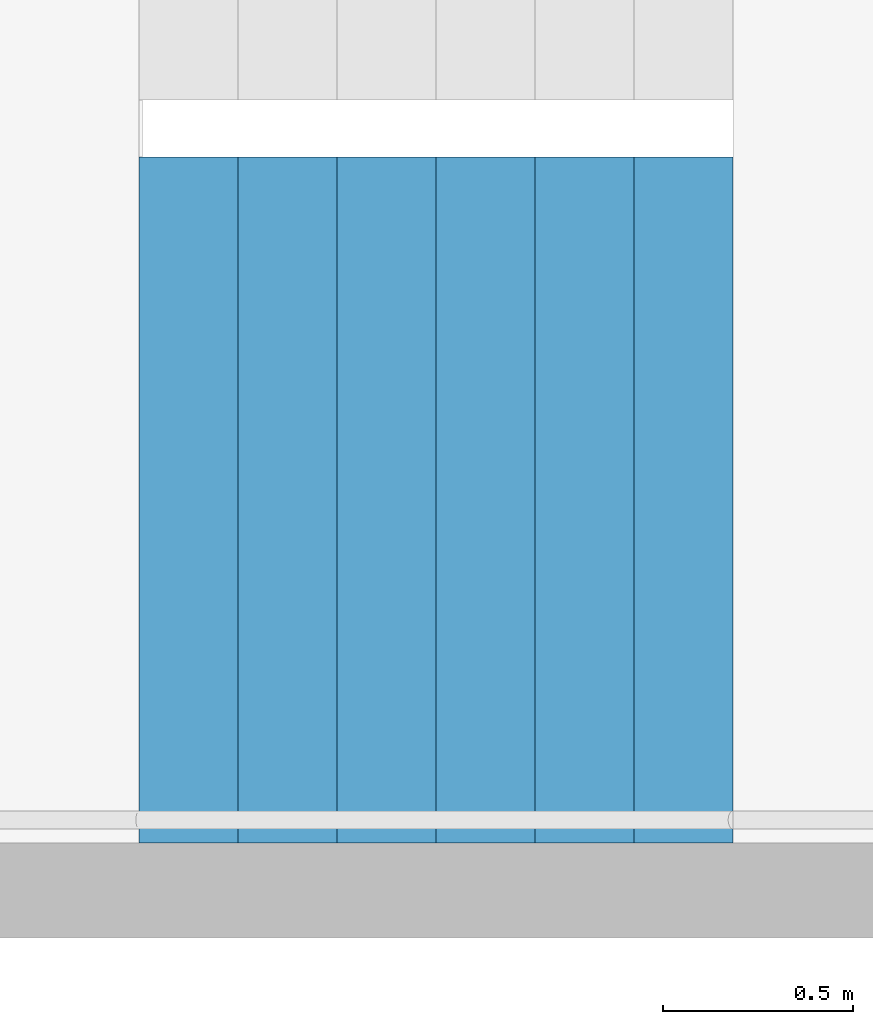
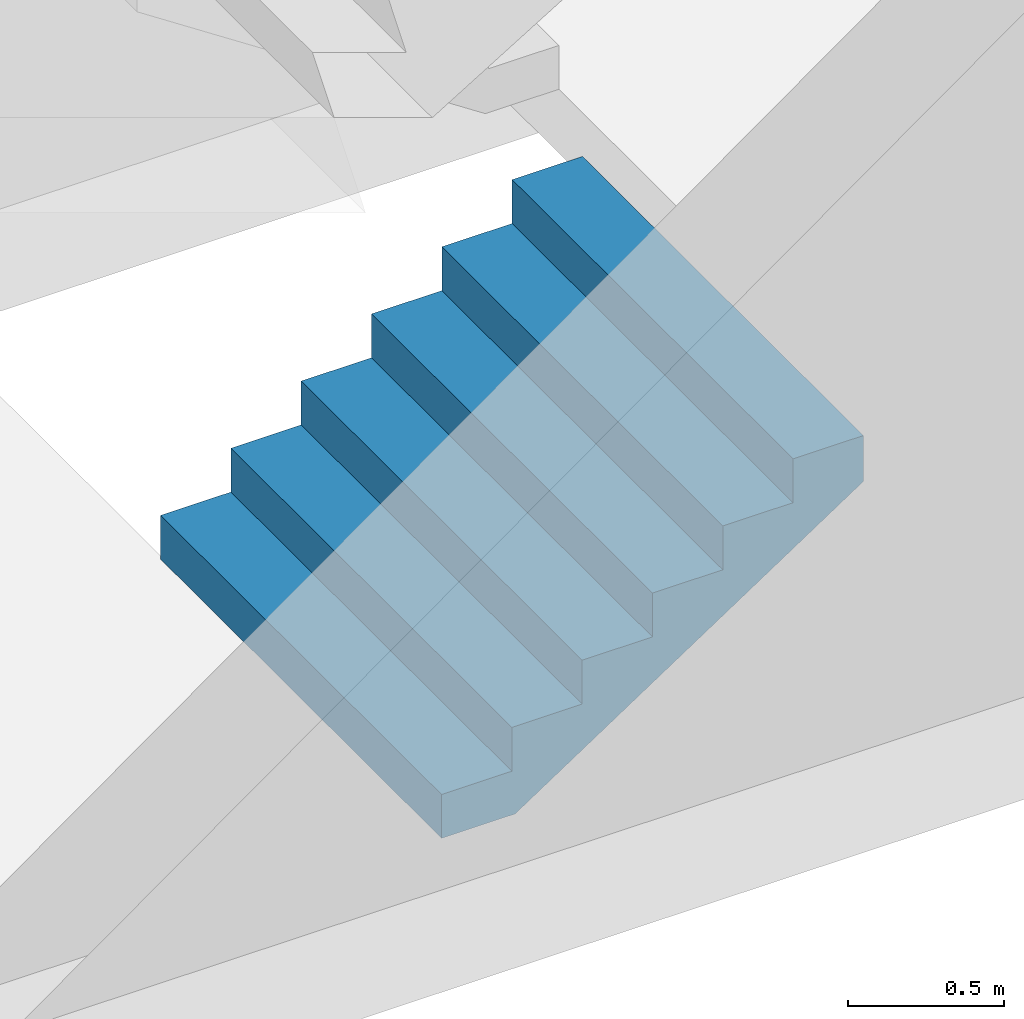
# One storey, part 31 of 53: 1 stair flight, 1 element without a shape of its own.
"""IFC4 building model written with IfcOpenShell, lengths in metres."""

from ifc_helpers import new_model, si_unit, direction, frame, origin, place, context, subcontext, project, spatial, triangles, material, type_object, element, aggregate, save


model = new_model("IFC4")

# Units and contexts
model_context = context("Model", 3, precision=1e-05, world=origin(), true_north=direction((0.0, 1.0)))
body_context = subcontext(model_context, "Body", "Model", "MODEL_VIEW")
ifc_project = project(units=[si_unit("LENGTHUNIT", "METRE"), si_unit("AREAUNIT", "SQUARE_METRE"), si_unit("VOLUMEUNIT", "CUBIC_METRE"), si_unit("PLANEANGLEUNIT", "RADIAN"), si_unit("MASSUNIT", "GRAM", prefix="KILO")], contexts=[model_context])

# Site, building, storey
site_placement = place(None, origin())
site = spatial("IfcSite", under=ifc_project, at=site_placement, CompositionType="ELEMENT")
building_placement = place(site_placement, origin())
building = spatial("IfcBuilding", under=site, at=building_placement, Name="Hakoniwa Tower and Hamabe Station Hall", CompositionType="ELEMENT")
storey_placement = place(building_placement, frame((0.0, 0.0, 15.0)))
storey = spatial("IfcBuildingStorey", under=building, at=storey_placement, Name="L03", CompositionType="ELEMENT", Elevation=15.0)

# Stair, stair flight
ifc_material_1 = material(Name="Concrete C40", Category="concrete")
stair_type = type_object("IfcStairType", Name="ESCAPE STAIR 1800", PredefinedType="HALF_TURN_STAIR", material=ifc_material_1)
stair_placement = place(storey_placement, origin())
stair = element("IfcStair", 1, at=stair_placement, inside=storey, type_object=stair_type, Name="Escape stair ST-1 L03", PredefinedType="HALF_TURN_STAIR")
ifc_material_2 = material(Name="Concrete C40", Category="concrete")
stair_flight_type = type_object("IfcStairFlightType", Name="STAIR FLIGHT 1800", PredefinedType="STRAIGHT", material=ifc_material_2)
stair_flight_placement = place(storey_placement, frame((-24.39990234375, 4.64990234375, 0.0), z_axis=(0.0, 0.0, 1.0), x_axis=(1.0, 0.0, 0.0)))
stair_flight = element("IfcStairFlight", 2, at=stair_flight_placement, type_object=stair_flight_type, Name="ST-1 flight 1", NumberOfRisers=7, NumberOfTreads=6, PredefinedType="STRAIGHT", RiserHeight=0.171428571, TreadLength=0.26, context=body_context, shape_type="Tessellation", body=[
    triangles([(0.0, 0.89990234375, 0.0), (0.260009765625, 0.89990234375, 0.0), (0.272216796875, 0.89990234375, 0.0), (0.52001953125, 0.89990234375, 0.163330078125), (0.780029296875, 0.89990234375, 0.334716796875), (1.0400390625, 0.89990234375, 0.506103515625), (1.300048828125, 0.89990234375, 0.677490234375), (1.56005859375, 0.89990234375, 0.84912109375), (1.56005859375, 0.89990234375, 1.028564453125), (1.300048828125, 0.89990234375, 1.028564453125), (1.300048828125, 0.89990234375, 0.857177734375), (1.0400390625, 0.89990234375, 0.857177734375), (1.0400390625, 0.89990234375, 0.685791015625), (0.780029296875, 0.89990234375, 0.685791015625), (0.780029296875, 0.89990234375, 0.514404296875), (0.52001953125, 0.89990234375, 0.514404296875), (0.52001953125, 0.89990234375, 0.3427734375), (0.272216796875, 0.89990234375, 0.3427734375), (0.260009765625, 0.89990234375, 0.3427734375), (0.260009765625, 0.89990234375, 0.17138671875), (0.0, 0.89990234375, 0.17138671875), (0.0, 0.06005859375, 0.0), (0.260009765625, 0.06005859375, 0.0), (0.272216796875, 0.06005859375, 0.0), (0.52001953125, 0.06005859375, 0.163330078125), (0.780029296875, 0.06005859375, 0.334716796875), (1.0400390625, 0.06005859375, 0.506103515625), (1.300048828125, 0.06005859375, 0.677490234375), (1.56005859375, 0.06005859375, 0.84912109375), (1.56005859375, 0.06005859375, 1.028564453125), (1.300048828125, 0.06005859375, 1.028564453125), (1.300048828125, 0.06005859375, 0.857177734375), (1.0400390625, 0.06005859375, 0.857177734375), (1.0400390625, 0.06005859375, 0.685791015625), (0.780029296875, 0.06005859375, 0.685791015625), (0.780029296875, 0.06005859375, 0.514404296875), (0.52001953125, 0.06005859375, 0.514404296875), (0.52001953125, 0.06005859375, 0.3427734375), (0.272216796875, 0.06005859375, 0.3427734375), (0.260009765625, 0.06005859375, 0.3427734375), (0.260009765625, 0.06005859375, 0.17138671875), (0.0, 0.06005859375, 0.17138671875), (0.0, 0.049072265625, 0.0), (0.260009765625, 0.049072265625, 0.0), (0.272216796875, 0.049072265625, 0.0), (0.52001953125, 0.049072265625, 0.163330078125), (0.780029296875, 0.049072265625, 0.334716796875), (1.0400390625, 0.049072265625, 0.506103515625), (1.300048828125, 0.049072265625, 0.677490234375), (1.56005859375, 0.049072265625, 0.84912109375), (1.56005859375, 0.049072265625, 1.028564453125), (1.300048828125, 0.049072265625, 1.028564453125), (1.300048828125, 0.049072265625, 0.857177734375), (1.0400390625, 0.049072265625, 0.857177734375), (1.0400390625, 0.049072265625, 0.685791015625), (0.780029296875, 0.049072265625, 0.685791015625), (0.780029296875, 0.049072265625, 0.514404296875), (0.52001953125, 0.049072265625, 0.514404296875), (0.52001953125, 0.049072265625, 0.3427734375), (0.272216796875, 0.049072265625, 0.3427734375), (0.260009765625, 0.049072265625, 0.3427734375), (0.260009765625, 0.049072265625, 0.17138671875), (0.0, 0.049072265625, 0.17138671875), (0.0, 0.0380859375, 0.0), (0.260009765625, 0.0380859375, 0.0), (0.272216796875, 0.0380859375, 0.0), (0.52001953125, 0.0380859375, 0.163330078125), (0.780029296875, 0.0380859375, 0.334716796875), (1.0400390625, 0.0380859375, 0.506103515625), (1.300048828125, 0.0380859375, 0.677490234375), (1.56005859375, 0.0380859375, 0.84912109375), (1.56005859375, 0.0380859375, 1.028564453125), (1.300048828125, 0.0380859375, 1.028564453125), (1.300048828125, 0.0380859375, 0.857177734375), (1.0400390625, 0.0380859375, 0.857177734375), (1.0400390625, 0.0380859375, 0.685791015625), (0.780029296875, 0.0380859375, 0.685791015625), (0.780029296875, 0.0380859375, 0.514404296875), (0.52001953125, 0.0380859375, 0.514404296875), (0.52001953125, 0.0380859375, 0.3427734375), (0.272216796875, 0.0380859375, 0.3427734375), (0.260009765625, 0.0380859375, 0.3427734375), (0.260009765625, 0.0380859375, 0.17138671875), (0.0, 0.0380859375, 0.17138671875), (0.0, 0.02734375, 0.0), (0.260009765625, 0.02734375, 0.0), (0.272216796875, 0.02734375, 0.0), (0.52001953125, 0.02734375, 0.163330078125), (0.780029296875, 0.02734375, 0.334716796875), (1.0400390625, 0.02734375, 0.506103515625), (1.300048828125, 0.02734375, 0.677490234375), (1.56005859375, 0.02734375, 0.84912109375), (1.56005859375, 0.02734375, 1.028564453125), (1.300048828125, 0.02734375, 1.028564453125), (1.300048828125, 0.02734375, 0.857177734375), (1.0400390625, 0.02734375, 0.857177734375), (1.0400390625, 0.02734375, 0.685791015625), (0.780029296875, 0.02734375, 0.685791015625), (0.780029296875, 0.02734375, 0.514404296875), (0.52001953125, 0.02734375, 0.514404296875), (0.52001953125, 0.02734375, 0.3427734375), (0.272216796875, 0.02734375, 0.3427734375), (0.260009765625, 0.02734375, 0.3427734375), (0.260009765625, 0.02734375, 0.17138671875), (0.0, 0.02734375, 0.17138671875), (0.0, 0.016357421875, 0.0), (0.260009765625, 0.016357421875, 0.0), (0.272216796875, 0.016357421875, 0.0), (0.52001953125, 0.016357421875, 0.163330078125), (0.780029296875, 0.016357421875, 0.334716796875), (1.0400390625, 0.016357421875, 0.506103515625), (1.300048828125, 0.016357421875, 0.677490234375), (1.56005859375, 0.016357421875, 0.84912109375), (1.56005859375, 0.016357421875, 1.028564453125), (1.300048828125, 0.016357421875, 1.028564453125), (1.300048828125, 0.016357421875, 0.857177734375), (1.0400390625, 0.016357421875, 0.857177734375), (1.0400390625, 0.016357421875, 0.685791015625), (0.780029296875, 0.016357421875, 0.685791015625), (0.780029296875, 0.016357421875, 0.514404296875), (0.52001953125, 0.016357421875, 0.514404296875), (0.52001953125, 0.016357421875, 0.3427734375), (0.272216796875, 0.016357421875, 0.3427734375), (0.260009765625, 0.016357421875, 0.3427734375), (0.260009765625, 0.016357421875, 0.17138671875), (0.0, 0.016357421875, 0.17138671875), (0.0, 0.00537109375, 0.0), (0.260009765625, 0.00537109375, 0.0), (0.272216796875, 0.00537109375, 0.0), (0.52001953125, 0.00537109375, 0.163330078125), (0.780029296875, 0.00537109375, 0.334716796875), (1.0400390625, 0.00537109375, 0.506103515625), (1.300048828125, 0.00537109375, 0.677490234375), (1.56005859375, 0.00537109375, 0.84912109375), (1.56005859375, 0.00537109375, 1.028564453125), (1.300048828125, 0.00537109375, 1.028564453125), (1.300048828125, 0.00537109375, 0.857177734375), (1.0400390625, 0.00537109375, 0.857177734375), (1.0400390625, 0.00537109375, 0.685791015625), (0.780029296875, 0.00537109375, 0.685791015625), (0.780029296875, 0.00537109375, 0.514404296875), (0.52001953125, 0.00537109375, 0.514404296875), (0.52001953125, 0.00537109375, 0.3427734375), (0.272216796875, 0.00537109375, 0.3427734375), (0.260009765625, 0.00537109375, 0.3427734375), (0.260009765625, 0.00537109375, 0.17138671875), (0.0, 0.00537109375, 0.17138671875), (0.0, -0.00537109375, 0.0), (0.260009765625, -0.00537109375, 0.0), (0.272216796875, -0.00537109375, 0.0), (0.52001953125, -0.00537109375, 0.163330078125), (0.780029296875, -0.00537109375, 0.334716796875), (1.0400390625, -0.00537109375, 0.506103515625), (1.300048828125, -0.00537109375, 0.677490234375), (1.56005859375, -0.00537109375, 0.84912109375), (1.56005859375, -0.00537109375, 1.028564453125), (1.300048828125, -0.00537109375, 1.028564453125), (1.300048828125, -0.00537109375, 0.857177734375), (1.0400390625, -0.00537109375, 0.857177734375), (1.0400390625, -0.00537109375, 0.685791015625), (0.780029296875, -0.00537109375, 0.685791015625), (0.780029296875, -0.00537109375, 0.514404296875), (0.52001953125, -0.00537109375, 0.514404296875), (0.52001953125, -0.00537109375, 0.3427734375), (0.272216796875, -0.00537109375, 0.3427734375), (0.260009765625, -0.00537109375, 0.3427734375), (0.260009765625, -0.00537109375, 0.17138671875), (0.0, -0.00537109375, 0.17138671875), (0.0, -0.016357421875, 0.0), (0.260009765625, -0.016357421875, 0.0), (0.272216796875, -0.016357421875, 0.0), (0.52001953125, -0.016357421875, 0.163330078125), (0.780029296875, -0.016357421875, 0.334716796875), (1.0400390625, -0.016357421875, 0.506103515625), (1.300048828125, -0.016357421875, 0.677490234375), (1.56005859375, -0.016357421875, 0.84912109375), (1.56005859375, -0.016357421875, 1.028564453125), (1.300048828125, -0.016357421875, 1.028564453125), (1.300048828125, -0.016357421875, 0.857177734375), (1.0400390625, -0.016357421875, 0.857177734375), (1.0400390625, -0.016357421875, 0.685791015625), (0.780029296875, -0.016357421875, 0.685791015625), (0.780029296875, -0.016357421875, 0.514404296875), (0.52001953125, -0.016357421875, 0.514404296875), (0.52001953125, -0.016357421875, 0.3427734375), (0.272216796875, -0.016357421875, 0.3427734375), (0.260009765625, -0.016357421875, 0.3427734375), (0.260009765625, -0.016357421875, 0.17138671875), (0.0, -0.016357421875, 0.17138671875), (0.0, -0.02734375, 0.0), (0.260009765625, -0.02734375, 0.0), (0.272216796875, -0.02734375, 0.0), (0.52001953125, -0.02734375, 0.163330078125), (0.780029296875, -0.02734375, 0.334716796875), (1.0400390625, -0.02734375, 0.506103515625), (1.300048828125, -0.02734375, 0.677490234375), (1.56005859375, -0.02734375, 0.84912109375), (1.56005859375, -0.02734375, 1.028564453125), (1.300048828125, -0.02734375, 1.028564453125), (1.300048828125, -0.02734375, 0.857177734375), (1.0400390625, -0.02734375, 0.857177734375), (1.0400390625, -0.02734375, 0.685791015625), (0.780029296875, -0.02734375, 0.685791015625), (0.780029296875, -0.02734375, 0.514404296875), (0.52001953125, -0.02734375, 0.514404296875), (0.52001953125, -0.02734375, 0.3427734375), (0.272216796875, -0.02734375, 0.3427734375), (0.260009765625, -0.02734375, 0.3427734375), (0.260009765625, -0.02734375, 0.17138671875), (0.0, -0.02734375, 0.17138671875), (0.0, -0.0380859375, 0.0), (0.260009765625, -0.0380859375, 0.0), (0.272216796875, -0.0380859375, 0.0), (0.52001953125, -0.0380859375, 0.163330078125), (0.780029296875, -0.0380859375, 0.334716796875), (1.0400390625, -0.0380859375, 0.506103515625), (1.300048828125, -0.0380859375, 0.677490234375), (1.56005859375, -0.0380859375, 0.84912109375), (1.56005859375, -0.0380859375, 1.028564453125), (1.300048828125, -0.0380859375, 1.028564453125), (1.300048828125, -0.0380859375, 0.857177734375), (1.0400390625, -0.0380859375, 0.857177734375), (1.0400390625, -0.0380859375, 0.685791015625), (0.780029296875, -0.0380859375, 0.685791015625), (0.780029296875, -0.0380859375, 0.514404296875), (0.52001953125, -0.0380859375, 0.514404296875), (0.52001953125, -0.0380859375, 0.3427734375), (0.272216796875, -0.0380859375, 0.3427734375), (0.260009765625, -0.0380859375, 0.3427734375), (0.260009765625, -0.0380859375, 0.17138671875), (0.0, -0.0380859375, 0.17138671875), (0.0, -0.049072265625, 0.0), (0.260009765625, -0.049072265625, 0.0), (0.272216796875, -0.049072265625, 0.0), (0.52001953125, -0.049072265625, 0.163330078125), (0.780029296875, -0.049072265625, 0.334716796875), (1.0400390625, -0.049072265625, 0.506103515625), (1.300048828125, -0.049072265625, 0.677490234375), (1.56005859375, -0.049072265625, 0.84912109375), (1.56005859375, -0.049072265625, 1.028564453125), (1.300048828125, -0.049072265625, 1.028564453125), (1.300048828125, -0.049072265625, 0.857177734375), (1.0400390625, -0.049072265625, 0.857177734375), (1.0400390625, -0.049072265625, 0.685791015625), (0.780029296875, -0.049072265625, 0.685791015625), (0.780029296875, -0.049072265625, 0.514404296875), (0.52001953125, -0.049072265625, 0.514404296875), (0.52001953125, -0.049072265625, 0.3427734375), (0.272216796875, -0.049072265625, 0.3427734375), (0.260009765625, -0.049072265625, 0.3427734375), (0.260009765625, -0.049072265625, 0.17138671875), (0.0, -0.049072265625, 0.17138671875), (0.0, -0.06005859375, 0.0), (0.260009765625, -0.06005859375, 0.0), (0.272216796875, -0.06005859375, 0.0), (0.52001953125, -0.06005859375, 0.163330078125), (0.780029296875, -0.06005859375, 0.334716796875), (1.0400390625, -0.06005859375, 0.506103515625), (1.300048828125, -0.06005859375, 0.677490234375), (1.56005859375, -0.06005859375, 0.84912109375), (1.56005859375, -0.06005859375, 1.028564453125), (1.300048828125, -0.06005859375, 1.028564453125), (1.300048828125, -0.06005859375, 0.857177734375), (1.0400390625, -0.06005859375, 0.857177734375), (1.0400390625, -0.06005859375, 0.685791015625), (0.780029296875, -0.06005859375, 0.685791015625), (0.780029296875, -0.06005859375, 0.514404296875), (0.52001953125, -0.06005859375, 0.514404296875), (0.52001953125, -0.06005859375, 0.3427734375), (0.272216796875, -0.06005859375, 0.3427734375), (0.260009765625, -0.06005859375, 0.3427734375), (0.260009765625, -0.06005859375, 0.17138671875), (0.0, -0.06005859375, 0.17138671875), (0.0, -0.89990234375, 0.0), (0.260009765625, -0.89990234375, 0.0), (0.272216796875, -0.89990234375, 0.0), (0.52001953125, -0.89990234375, 0.163330078125), (0.780029296875, -0.89990234375, 0.334716796875), (1.0400390625, -0.89990234375, 0.506103515625), (1.300048828125, -0.89990234375, 0.677490234375), (1.56005859375, -0.89990234375, 0.84912109375), (1.56005859375, -0.89990234375, 1.028564453125), (1.300048828125, -0.89990234375, 1.028564453125), (1.300048828125, -0.89990234375, 0.857177734375), (1.0400390625, -0.89990234375, 0.857177734375), (1.0400390625, -0.89990234375, 0.685791015625), (0.780029296875, -0.89990234375, 0.685791015625), (0.780029296875, -0.89990234375, 0.514404296875), (0.52001953125, -0.89990234375, 0.514404296875), (0.52001953125, -0.89990234375, 0.3427734375), (0.272216796875, -0.89990234375, 0.3427734375), (0.260009765625, -0.89990234375, 0.3427734375), (0.260009765625, -0.89990234375, 0.17138671875), (0.0, -0.89990234375, 0.17138671875)], [[2, 21, 20], [275, 293, 294], [2, 1, 21], [275, 294, 274], [3, 19, 18], [276, 291, 292], [3, 20, 19], [276, 292, 293], [3, 2, 20], [276, 293, 275], [4, 18, 17], [277, 290, 291], [4, 3, 18], [277, 291, 276], [5, 16, 15], [278, 288, 289], [5, 17, 16], [278, 289, 290], [5, 4, 17], [278, 290, 277], [6, 14, 13], [279, 286, 287], [6, 15, 14], [279, 287, 288], [6, 5, 15], [279, 288, 278], [7, 12, 11], [280, 284, 285], [7, 13, 12], [280, 285, 286], [7, 6, 13], [280, 286, 279], [8, 10, 9], [281, 282, 283], [8, 11, 10], [281, 283, 284], [8, 7, 11], [281, 284, 280], [1, 2, 23], [1, 23, 22], [22, 23, 44], [22, 44, 43], [43, 44, 65], [43, 65, 64], [64, 65, 86], [64, 86, 85], [85, 86, 107], [85, 107, 106], [106, 107, 128], [106, 128, 127], [127, 128, 149], [127, 149, 148], [148, 149, 170], [148, 170, 169], [169, 170, 191], [169, 191, 190], [190, 191, 212], [190, 212, 211], [211, 212, 233], [211, 233, 232], [232, 233, 254], [232, 254, 253], [253, 254, 275], [253, 275, 274], [2, 3, 24], [2, 24, 23], [23, 24, 45], [23, 45, 44], [44, 45, 66], [44, 66, 65], [65, 66, 87], [65, 87, 86], [86, 87, 108], [86, 108, 107], [107, 108, 129], [107, 129, 128], [128, 129, 150], [128, 150, 149], [149, 150, 171], [149, 171, 170], [170, 171, 192], [170, 192, 191], [191, 192, 213], [191, 213, 212], [212, 213, 234], [212, 234, 233], [233, 234, 255], [233, 255, 254], [254, 255, 276], [254, 276, 275], [3, 4, 25], [3, 25, 24], [24, 25, 46], [24, 46, 45], [45, 46, 67], [45, 67, 66], [66, 67, 88], [66, 88, 87], [87, 88, 109], [87, 109, 108], [108, 109, 130], [108, 130, 129], [129, 130, 151], [129, 151, 150], [150, 151, 172], [150, 172, 171], [171, 172, 193], [171, 193, 192], [192, 193, 214], [192, 214, 213], [213, 214, 235], [213, 235, 234], [234, 235, 256], [234, 256, 255], [255, 256, 277], [255, 277, 276], [4, 5, 26], [4, 26, 25], [25, 26, 47], [25, 47, 46], [46, 47, 68], [46, 68, 67], [67, 68, 89], [67, 89, 88], [88, 89, 110], [88, 110, 109], [109, 110, 131], [109, 131, 130], [130, 131, 152], [130, 152, 151], [151, 152, 173], [151, 173, 172], [172, 173, 194], [172, 194, 193], [193, 194, 215], [193, 215, 214], [214, 215, 236], [214, 236, 235], [235, 236, 257], [235, 257, 256], [256, 257, 278], [256, 278, 277], [5, 6, 27], [5, 27, 26], [26, 27, 48], [26, 48, 47], [47, 48, 69], [47, 69, 68], [68, 69, 90], [68, 90, 89], [89, 90, 111], [89, 111, 110], [110, 111, 132], [110, 132, 131], [131, 132, 153], [131, 153, 152], [152, 153, 174], [152, 174, 173], [173, 174, 195], [173, 195, 194], [194, 195, 216], [194, 216, 215], [215, 216, 237], [215, 237, 236], [236, 237, 258], [236, 258, 257], [257, 258, 279], [257, 279, 278], [6, 7, 28], [6, 28, 27], [27, 28, 49], [27, 49, 48], [48, 49, 70], [48, 70, 69], [69, 70, 91], [69, 91, 90], [90, 91, 112], [90, 112, 111], [111, 112, 133], [111, 133, 132], [132, 133, 154], [132, 154, 153], [153, 154, 175], [153, 175, 174], [174, 175, 196], [174, 196, 195], [195, 196, 217], [195, 217, 216], [216, 217, 238], [216, 238, 237], [237, 238, 259], [237, 259, 258], [258, 259, 280], [258, 280, 279], [7, 8, 29], [7, 29, 28], [28, 29, 50], [28, 50, 49], [49, 50, 71], [49, 71, 70], [70, 71, 92], [70, 92, 91], [91, 92, 113], [91, 113, 112], [112, 113, 134], [112, 134, 133], [133, 134, 155], [133, 155, 154], [154, 155, 176], [154, 176, 175], [175, 176, 197], [175, 197, 196], [196, 197, 218], [196, 218, 217], [217, 218, 239], [217, 239, 238], [238, 239, 260], [238, 260, 259], [259, 260, 281], [259, 281, 280], [8, 9, 30], [8, 30, 29], [29, 30, 51], [29, 51, 50], [50, 51, 72], [50, 72, 71], [71, 72, 93], [71, 93, 92], [92, 93, 114], [92, 114, 113], [113, 114, 135], [113, 135, 134], [134, 135, 156], [134, 156, 155], [155, 156, 177], [155, 177, 176], [176, 177, 198], [176, 198, 197], [197, 198, 219], [197, 219, 218], [218, 219, 240], [218, 240, 239], [239, 240, 261], [239, 261, 260], [260, 261, 282], [260, 282, 281], [9, 10, 31], [9, 31, 30], [30, 31, 52], [30, 52, 51], [51, 52, 73], [51, 73, 72], [72, 73, 94], [72, 94, 93], [93, 94, 115], [93, 115, 114], [114, 115, 136], [114, 136, 135], [135, 136, 157], [135, 157, 156], [156, 157, 178], [156, 178, 177], [177, 178, 199], [177, 199, 198], [198, 199, 220], [198, 220, 219], [219, 220, 241], [219, 241, 240], [240, 241, 262], [240, 262, 261], [261, 262, 283], [261, 283, 282], [10, 11, 32], [10, 32, 31], [31, 32, 53], [31, 53, 52], [52, 53, 74], [52, 74, 73], [73, 74, 95], [73, 95, 94], [94, 95, 116], [94, 116, 115], [115, 116, 137], [115, 137, 136], [136, 137, 158], [136, 158, 157], [157, 158, 179], [157, 179, 178], [178, 179, 200], [178, 200, 199], [199, 200, 221], [199, 221, 220], [220, 221, 242], [220, 242, 241], [241, 242, 263], [241, 263, 262], [262, 263, 284], [262, 284, 283], [11, 12, 33], [11, 33, 32], [32, 33, 54], [32, 54, 53], [53, 54, 75], [53, 75, 74], [74, 75, 96], [74, 96, 95], [95, 96, 117], [95, 117, 116], [116, 117, 138], [116, 138, 137], [137, 138, 159], [137, 159, 158], [158, 159, 180], [158, 180, 179], [179, 180, 201], [179, 201, 200], [200, 201, 222], [200, 222, 221], [221, 222, 243], [221, 243, 242], [242, 243, 264], [242, 264, 263], [263, 264, 285], [263, 285, 284], [12, 13, 34], [12, 34, 33], [33, 34, 55], [33, 55, 54], [54, 55, 76], [54, 76, 75], [75, 76, 97], [75, 97, 96], [96, 97, 118], [96, 118, 117], [117, 118, 139], [117, 139, 138], [138, 139, 160], [138, 160, 159], [159, 160, 181], [159, 181, 180], [180, 181, 202], [180, 202, 201], [201, 202, 223], [201, 223, 222], [222, 223, 244], [222, 244, 243], [243, 244, 265], [243, 265, 264], [264, 265, 286], [264, 286, 285], [13, 14, 35], [13, 35, 34], [34, 35, 56], [34, 56, 55], [55, 56, 77], [55, 77, 76], [76, 77, 98], [76, 98, 97], [97, 98, 119], [97, 119, 118], [118, 119, 140], [118, 140, 139], [139, 140, 161], [139, 161, 160], [160, 161, 182], [160, 182, 181], [181, 182, 203], [181, 203, 202], [202, 203, 224], [202, 224, 223], [223, 224, 245], [223, 245, 244], [244, 245, 266], [244, 266, 265], [265, 266, 287], [265, 287, 286], [14, 15, 36], [14, 36, 35], [35, 36, 57], [35, 57, 56], [56, 57, 78], [56, 78, 77], [77, 78, 99], [77, 99, 98], [98, 99, 120], [98, 120, 119], [119, 120, 141], [119, 141, 140], [140, 141, 162], [140, 162, 161], [161, 162, 183], [161, 183, 182], [182, 183, 204], [182, 204, 203], [203, 204, 225], [203, 225, 224], [224, 225, 246], [224, 246, 245], [245, 246, 267], [245, 267, 266], [266, 267, 288], [266, 288, 287], [15, 16, 37], [15, 37, 36], [36, 37, 58], [36, 58, 57], [57, 58, 79], [57, 79, 78], [78, 79, 100], [78, 100, 99], [99, 100, 121], [99, 121, 120], [120, 121, 142], [120, 142, 141], [141, 142, 163], [141, 163, 162], [162, 163, 184], [162, 184, 183], [183, 184, 205], [183, 205, 204], [204, 205, 226], [204, 226, 225], [225, 226, 247], [225, 247, 246], [246, 247, 268], [246, 268, 267], [267, 268, 289], [267, 289, 288], [16, 17, 38], [16, 38, 37], [37, 38, 59], [37, 59, 58], [58, 59, 80], [58, 80, 79], [79, 80, 101], [79, 101, 100], [100, 101, 122], [100, 122, 121], [121, 122, 143], [121, 143, 142], [142, 143, 164], [142, 164, 163], [163, 164, 185], [163, 185, 184], [184, 185, 206], [184, 206, 205], [205, 206, 227], [205, 227, 226], [226, 227, 248], [226, 248, 247], [247, 248, 269], [247, 269, 268], [268, 269, 290], [268, 290, 289], [17, 18, 39], [17, 39, 38], [38, 39, 60], [38, 60, 59], [59, 60, 81], [59, 81, 80], [80, 81, 102], [80, 102, 101], [101, 102, 123], [101, 123, 122], [122, 123, 144], [122, 144, 143], [143, 144, 165], [143, 165, 164], [164, 165, 186], [164, 186, 185], [185, 186, 207], [185, 207, 206], [206, 207, 228], [206, 228, 227], [227, 228, 249], [227, 249, 248], [248, 249, 270], [248, 270, 269], [269, 270, 291], [269, 291, 290], [18, 19, 40], [18, 40, 39], [39, 40, 61], [39, 61, 60], [60, 61, 82], [60, 82, 81], [81, 82, 103], [81, 103, 102], [102, 103, 124], [102, 124, 123], [123, 124, 145], [123, 145, 144], [144, 145, 166], [144, 166, 165], [165, 166, 187], [165, 187, 186], [186, 187, 208], [186, 208, 207], [207, 208, 229], [207, 229, 228], [228, 229, 250], [228, 250, 249], [249, 250, 271], [249, 271, 270], [270, 271, 292], [270, 292, 291], [19, 20, 41], [19, 41, 40], [40, 41, 62], [40, 62, 61], [61, 62, 83], [61, 83, 82], [82, 83, 104], [82, 104, 103], [103, 104, 125], [103, 125, 124], [124, 125, 146], [124, 146, 145], [145, 146, 167], [145, 167, 166], [166, 167, 188], [166, 188, 187], [187, 188, 209], [187, 209, 208], [208, 209, 230], [208, 230, 229], [229, 230, 251], [229, 251, 250], [250, 251, 272], [250, 272, 271], [271, 272, 293], [271, 293, 292], [20, 21, 42], [20, 42, 41], [41, 42, 63], [41, 63, 62], [62, 63, 84], [62, 84, 83], [83, 84, 105], [83, 105, 104], [104, 105, 126], [104, 126, 125], [125, 126, 147], [125, 147, 146], [146, 147, 168], [146, 168, 167], [167, 168, 189], [167, 189, 188], [188, 189, 210], [188, 210, 209], [209, 210, 231], [209, 231, 230], [230, 231, 252], [230, 252, 251], [251, 252, 273], [251, 273, 272], [272, 273, 294], [272, 294, 293], [21, 1, 22], [21, 22, 42], [42, 22, 43], [42, 43, 63], [63, 43, 64], [63, 64, 84], [84, 64, 85], [84, 85, 105], [105, 85, 106], [105, 106, 126], [126, 106, 127], [126, 127, 147], [147, 127, 148], [147, 148, 168], [168, 148, 169], [168, 169, 189], [189, 169, 190], [189, 190, 210], [210, 190, 211], [210, 211, 231], [231, 211, 232], [231, 232, 252], [252, 232, 253], [252, 253, 273], [273, 253, 274], [273, 274, 294]], closed=True),
])
aggregate(stair, [stair_flight])

save(model, "model.ifc")
